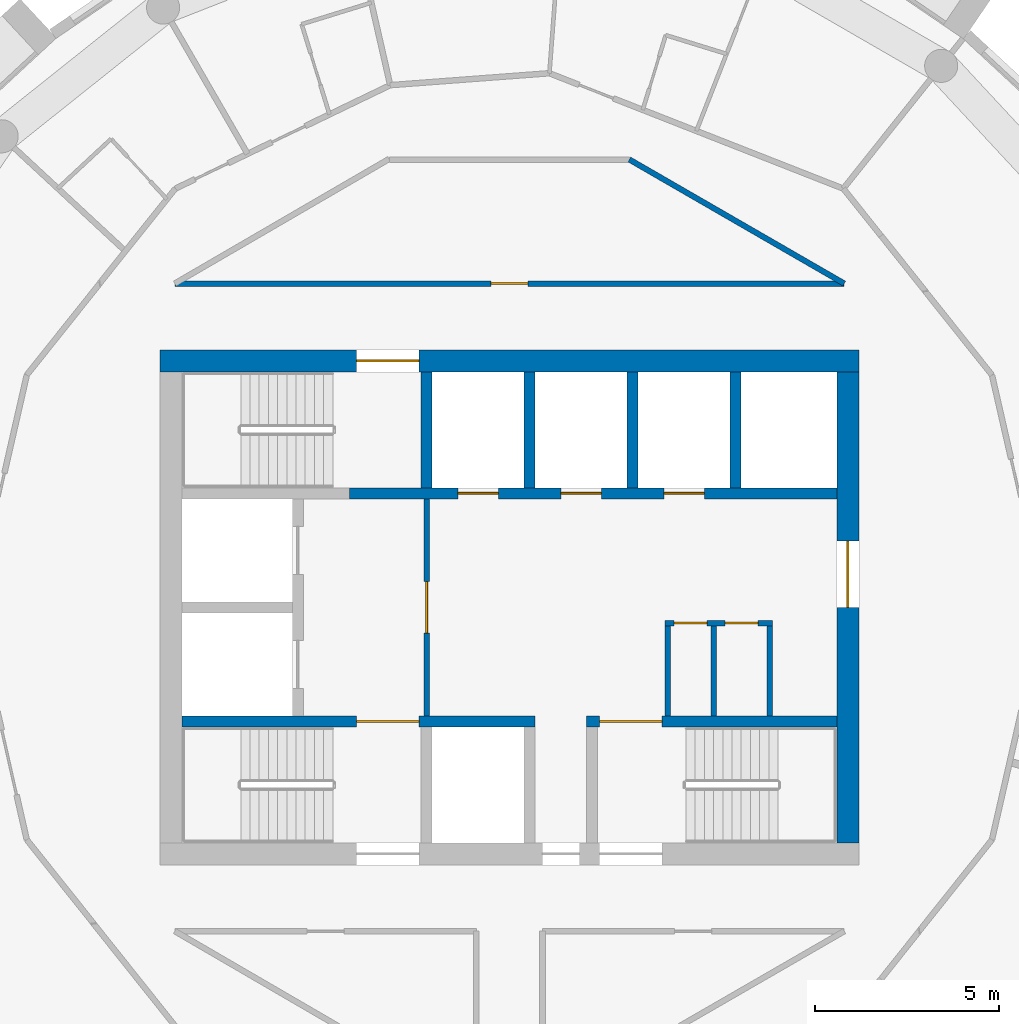
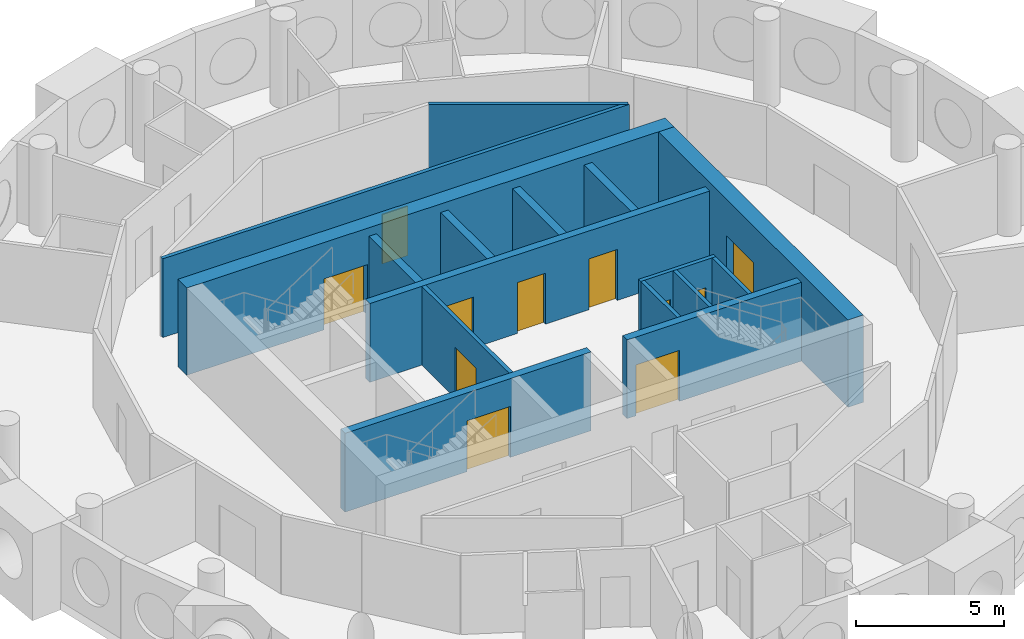
# One storey, part 8 of 13: 16 walls, 11 doors, 11 openings.
"""IFC4 building model written with IfcOpenShell, lengths in metres."""

import ifcopenshell
import ifcopenshell.guid

model = None  # the IFC model being written
_history = None  # IfcOwnerHistory: only IFC2X3 demands one
_inside = {}  # id of a spatial element -> (the spatial element, [elements in it])
_under = {}  # id of a project, library or spatial element -> (it, [spatial elements below it])
_declared = {}  # id of a project -> (the project, [libraries it declares])
_typed = {}  # id of a type object -> (the type object, [elements of that type])
_made_of = {}  # id of a material, layer set ... -> (it, [elements and type objects made of it])


def new_model(schema):
    """Start an empty IFC model of exactly this schema.

    Asked for "IFC4X3", IfcOpenShell would pick the latest addendum, in which some entities
    have other attributes; the version numbers below select the first issue.
    IFC2X3 requires an IfcOwnerHistory on every rooted entity: one is made here for all.
    """
    global model, _history
    if schema == "IFC4X3":
        model = ifcopenshell.file(schema_version=(4, 3, 0, 0))
    else:
        model = ifcopenshell.file(schema=schema)
    _inside.clear()
    _under.clear()
    _declared.clear()
    _typed.clear()
    _made_of.clear()
    _history = None
    if model.schema == "IFC2X3":
        org = make("IfcOrganization", Name="unknown")
        user = make(
            "IfcPersonAndOrganization",
            ThePerson=make("IfcPerson", FamilyName="unknown"),
            TheOrganization=org,
        )
        app = make(
            "IfcApplication",
            ApplicationDeveloper=org,
            Version="unknown",
            ApplicationFullName="unknown",
            ApplicationIdentifier="unknown",
        )
        _history = make(
            "IfcOwnerHistory",
            OwningUser=user,
            OwningApplication=app,
            ChangeAction="ADDED",
            CreationDate=0,
        )
    return model


def make(cls, **values):
    """One entity of the class cls with the attributes given. An attribute that is None is left unset."""
    return model.create_entity(
        cls, **{name: value for name, value in values.items() if value is not None}
    )


def rooted(cls, **values):
    """An entity with a GlobalId (a new one), such as an element, a storey or a relation."""
    return make(cls, GlobalId=ifcopenshell.guid.new(), OwnerHistory=_history, **values)


def si_unit(unit_type, name, prefix=None):
    """IfcSIUnit, for example si_unit("LENGTHUNIT", "METRE", prefix="MILLI")."""
    return make("IfcSIUnit", UnitType=unit_type, Prefix=prefix, Name=name)


def assignment(units):
    """IfcUnitAssignment: the units of a project."""
    return None if units is None else make("IfcUnitAssignment", Units=units)


def point(xyz):
    """IfcCartesianPoint."""
    return None if xyz is None else make("IfcCartesianPoint", Coordinates=xyz)


def direction(xyz):
    """IfcDirection."""
    return None if xyz is None else make("IfcDirection", DirectionRatios=xyz)


def frame(location, z_axis=None, x_axis=None):
    """IfcAxis2Placement3D, a coordinate frame: its origin and axes. An axis left out is left unset."""
    return make(
        "IfcAxis2Placement3D",
        Location=point(location),
        Axis=direction(z_axis),
        RefDirection=direction(x_axis),
    )


def frame_2d(location, x_axis=None):
    """IfcAxis2Placement2D, a coordinate frame in the plane: its origin and x axis."""
    return make(
        "IfcAxis2Placement2D", Location=point(location), RefDirection=direction(x_axis)
    )


def origin():
    """The frame at (0, 0, 0) with its axes left unset."""
    return frame((0.0, 0.0, 0.0))


def place(relative_to, where):
    """IfcLocalPlacement: puts the frame where relative to a parent placement (None: the world)."""
    return make(
        "IfcLocalPlacement", PlacementRelTo=relative_to, RelativePlacement=where
    )


def context(
    kind, dimensions, precision=None, world=None, true_north=None, identifier=None
):
    """IfcGeometricRepresentationContext, for example the 3D "Model" context."""
    return make(
        "IfcGeometricRepresentationContext",
        ContextIdentifier=identifier,
        ContextType=kind,
        CoordinateSpaceDimension=dimensions,
        Precision=precision,
        WorldCoordinateSystem=world,
        TrueNorth=true_north,
    )


def subcontext(parent, identifier, kind, view, scale=None):
    """IfcGeometricRepresentationSubContext, for example "Body" below "Model"."""
    return make(
        "IfcGeometricRepresentationSubContext",
        ContextIdentifier=identifier,
        ContextType=kind,
        ParentContext=parent,
        TargetScale=scale,
        TargetView=view,
    )


def project(units=None, contexts=None):
    """IfcProject with its units and contexts."""
    return rooted(
        "IfcProject",
        Name="project",
        RepresentationContexts=contexts,
        UnitsInContext=assignment(units),
    )


def spatial(cls, under=None, at=None, **own):
    """A site, building, storey or space (cls), placed at a placement, below another one or the project."""
    s = rooted(cls, ObjectPlacement=at, **own)
    if under is not None:
        _under.setdefault(under.id(), (under, []))[1].append(s)
    return s


def profile(cls, at=None, kind="AREA", **sizes):
    """A parametric profile (cls). Its sizes go by their IFC names, for example OverallWidth=200.0."""
    return make(cls, ProfileType=kind, Position=at, **sizes)


def rectangle(**sizes):
    """IfcRectangleProfileDef."""
    return profile("IfcRectangleProfileDef", **sizes)


def extrude(swept, where, along, depth):
    """IfcExtrudedAreaSolid: the profile swept, set in the frame where, extruded along a direction by depth."""
    return make(
        "IfcExtrudedAreaSolid",
        SweptArea=swept,
        Position=where,
        ExtrudedDirection=direction(along),
        Depth=depth,
    )


def shape(context_of_items, identifier, shape_type, items):
    """IfcShapeRepresentation: the items that make up one representation, for example the "Body"."""
    return make(
        "IfcShapeRepresentation",
        ContextOfItems=context_of_items,
        RepresentationIdentifier=identifier,
        RepresentationType=shape_type,
        Items=items,
    )


def material(Name=None, Category=None):
    """IfcMaterial."""
    return make("IfcMaterial", Name=Name, Category=Category)


def layer(
    of_material, thickness, ventilated=None, Name=None, Category=None, Priority=None
):
    """IfcMaterialLayer: one layer of a wall or slab, of a material (None: an air gap)."""
    return make(
        "IfcMaterialLayer",
        Material=of_material,
        LayerThickness=thickness,
        IsVentilated=ventilated,
        Name=Name,
        Category=Category,
        Priority=Priority,
    )


def layer_set(layers, Name=None):
    """IfcMaterialLayerSet."""
    return make("IfcMaterialLayerSet", MaterialLayers=layers, LayerSetName=Name)


def made_of(thing, what):
    """Note that an element or type object is made of a material, layer set ...; save() writes the relation."""
    if what is not None:
        _made_of.setdefault(what.id(), (what, []))[1].append(thing)
    return thing


def type_object(cls, material=None, **own):
    """A type object (cls), such as IfcWallType, which elements share."""
    return made_of(rooted(cls, **own), material)


def element(
    cls,
    number,
    at=None,
    inside=None,
    cuts=None,
    type_object=None,
    material=None,
    context=None,
    identifier="Body",
    shape_type=None,
    held_by="IfcProductDefinitionShape",
    body=None,
    shapes=None,
    **own,
):
    """One element of the class cls, such as IfcWall. Its Tag is "e" and its number.

    at: its placement. inside: the storey or other place that contains it. cuts: it is an
    opening in that element (IfcRelVoidsElement). A single representation is given by context,
    identifier, shape_type and body (its items); several are given by shapes. held_by: the class
    of the entity that holds the representations. save() writes the other relations.
    """
    e = rooted(cls, Tag="e%d" % number, ObjectPlacement=at, **own)
    if body is not None:
        shapes = [shape(context, identifier, shape_type, body)]
    if shapes is not None:
        e.Representation = make(held_by, Representations=shapes)
    if inside is not None:
        _inside.setdefault(inside.id(), (inside, []))[1].append(e)
    if cuts is not None:
        rooted(
            "IfcRelVoidsElement", RelatingBuildingElement=cuts, RelatedOpeningElement=e
        )
    if type_object is not None:
        _typed.setdefault(type_object.id(), (type_object, []))[1].append(e)
    return made_of(e, material)


def fill(opening, filler):
    """IfcRelFillsElement: the door or window that sits in an opening."""
    return rooted(
        "IfcRelFillsElement",
        RelatingOpeningElement=opening,
        RelatedBuildingElement=filler,
    )


def aggregate(whole, parts):
    """IfcRelAggregates: a whole, such as a stair, and the parts it consists of."""
    return rooted("IfcRelAggregates", RelatingObject=whole, RelatedObjects=parts)


def save(model, path):
    """Write the relations noted so far, then the file.

    IfcRelAggregates (storeys below a building ...), IfcRelContainedInSpatialStructure (elements
    in a storey), IfcRelDefinesByType, IfcRelAssociatesMaterial and IfcRelDeclares: one each for
    every whole, place, type object, material and project.
    """
    for whole, parts in _under.values():
        aggregate(whole, parts)
    for where, things in _inside.values():
        rooted(
            "IfcRelContainedInSpatialStructure",
            RelatedElements=things,
            RelatingStructure=where,
        )
    for kind, things in _typed.values():
        rooted("IfcRelDefinesByType", RelatedObjects=things, RelatingType=kind)
    for what, things in _made_of.values():
        rooted("IfcRelAssociatesMaterial", RelatedObjects=things, RelatingMaterial=what)
    for by, libraries in _declared.values():
        rooted("IfcRelDeclares", RelatingContext=by, RelatedDefinitions=libraries)
    model.write(path)


model = new_model("IFC4")

# Units and contexts
model_context = context("Model", 3, precision=1e-05, world=origin(), true_north=direction((0.0, 1.0)))
body_context = subcontext(model_context, "Body", "Model", "MODEL_VIEW")
ifc_project = project(units=[si_unit("LENGTHUNIT", "METRE"), si_unit("AREAUNIT", "SQUARE_METRE"), si_unit("VOLUMEUNIT", "CUBIC_METRE"), si_unit("PLANEANGLEUNIT", "RADIAN"), si_unit("MASSUNIT", "GRAM", prefix="KILO")], contexts=[model_context])

# Site, building, storey
site_placement = place(None, origin())
site = spatial("IfcSite", under=ifc_project, at=site_placement, CompositionType="ELEMENT")
building_placement = place(site_placement, origin())
building = spatial("IfcBuilding", under=site, at=building_placement, Name="Tracery Tower", CompositionType="ELEMENT")
storey_placement = place(building_placement, frame((0.0, 0.0, 316.199951171875)))
storey = spatial("IfcBuildingStorey", under=building, at=storey_placement, Name="L82", CompositionType="ELEMENT", Elevation=316.199951171875)

# Wall, opening, door
ifc_material_1 = material(Name="Plasterboard on steel studs", Category="steel")
ifc_layer_1 = layer(ifc_material_1, 0.14990234375)
ifc_layer_set_1 = layer_set([ifc_layer_1], Name="Core lobby partition 150")
wall_type_1 = type_object("IfcWallType", Name="Core lobby partition 150", PredefinedType="SOLIDWALL", material=ifc_layer_set_1)
wall_1_placement = place(storey_placement, frame((-2.25, -2.949951171875, 0.0), z_axis=(0.0, 0.0, 1.0), x_axis=(0.0, 1.0, 0.0)))
wall_1 = element("IfcWall", 1, at=wall_1_placement, inside=storey, type_object=wall_type_1, Name="L82 FF lobby E", PredefinedType="SOLIDWALL", context=body_context, shape_type="SweptSolid", body=[
    extrude(rectangle(XDim=5.89990234375, YDim=0.14990234375, at=frame_2d((2.949951171875, 0.0))), origin(), (0.0, 0.0, 1.0), 3.25),
])
opening_1_placement = place(wall_1_placement, frame((2.25, 0.0, 0.0)))
opening_1 = element("IfcOpeningElement", 2, at=opening_1_placement, cuts=wall_1, Name="Opening KD8", PredefinedType="OPENING", context=body_context, shape_type="SweptSolid", body=[
    extrude(rectangle(XDim=1.39990234375, YDim=2.10009765625, at=frame_2d((0.699951171875, 1.050048828125))), frame((0.0, 0.074951171875, 0.0), z_axis=(0.0, -1.0, 0.0), x_axis=(1.0, 0.0, 0.0)), (0.0, 0.0, 1.0), 0.14990234375),
])
ifc_material_2 = material(Name="Steel fire door", Category="steel")
door_type_1 = type_object("IfcDoorType", Name="Core lobby door 1400 double", OperationType="NOTDEFINED", PredefinedType="DOOR", material=ifc_material_2)
door_1_placement = place(opening_1_placement, origin())
door_1 = element("IfcDoor", 3, at=door_1_placement, inside=storey, type_object=door_type_1, Name="Fire-fighting lobby door", OperationType="DOUBLE_DOOR_SINGLE_SWING", OverallHeight=2.10009765625, OverallWidth=1.39990234375, PredefinedType="DOOR", context=body_context, shape_type="SweptSolid", body=[
    extrude(rectangle(XDim=1.39990234375, YDim=2.10009765625, at=frame_2d((0.699951171875, 1.050048828125))), frame((0.0, 0.02490234375, 0.0), z_axis=(0.0, -1.0, 0.0), x_axis=(1.0, 0.0, 0.0)), (0.0, 0.0, 1.0), 0.050048828125),
])
fill(opening_1, door_1)

# Wall
ifc_material_3 = material(Name="Plasterboard on steel studs", Category="steel")
ifc_layer_2 = layer(ifc_material_3, 0.14990234375)
ifc_layer_set_2 = layer_set([ifc_layer_2], Name="Core room partition 150")
wall_type_2 = type_object("IfcWallType", Name="Core room partition 150", PredefinedType="SOLIDWALL", material=ifc_layer_set_2)
wall_2_placement = place(storey_placement, frame((4.300048828125, -2.949951171875, 0.0), z_axis=(0.0, 0.0, 1.0), x_axis=(0.0, 1.0, 0.0)))
element("IfcWall", 4, at=wall_2_placement, inside=storey, type_object=wall_type_2, Name="L82 slot W", PredefinedType="SOLIDWALL", context=body_context, shape_type="SweptSolid", body=[
    extrude(rectangle(XDim=2.449951171875, YDim=0.14990234375, at=frame_2d((1.22509765625, 0.0))), origin(), (0.0, 0.0, 1.0), 3.25),
])

# Wall, openings, doors
wall_3_placement = place(storey_placement, frame((4.22509765625, -0.425048828125, 0.0), z_axis=(0.0, 0.0, 1.0), x_axis=(1.0, 0.0, 0.0)))
wall_3 = element("IfcWall", 5, at=wall_3_placement, inside=storey, type_object=wall_type_2, Name="L82 slot N", PredefinedType="SOLIDWALL", context=body_context, shape_type="SweptSolid", body=[
    extrude(rectangle(XDim=2.9248046875, YDim=0.14990234375, at=frame_2d((1.46240234375, 0.0))), origin(), (0.0, 0.0, 1.0), 3.25),
])
opening_2_placement = place(wall_3_placement, frame((0.25, 0.0, 0.0)))
opening_2 = element("IfcOpeningElement", 6, at=opening_2_placement, cuts=wall_3, Name="Opening KD27", PredefinedType="OPENING", context=body_context, shape_type="SweptSolid", body=[
    extrude(rectangle(XDim=0.89990234375, YDim=2.10009765625, at=frame_2d((0.449951171875, 1.050048828125))), frame((0.0, 0.074951171875, 0.0), z_axis=(0.0, -1.0, 0.0), x_axis=(1.0, 0.0, 0.0)), (0.0, 0.0, 1.0), 0.14990234375),
])
opening_3_placement = place(wall_3_placement, frame((1.637451171875, 0.0, 0.0)))
opening_3 = element("IfcOpeningElement", 7, at=opening_3_placement, cuts=wall_3, Name="Opening KD21", PredefinedType="OPENING", context=body_context, shape_type="SweptSolid", body=[
    extrude(rectangle(XDim=0.89990234375, YDim=2.10009765625, at=frame_2d((0.449951171875, 1.050048828125))), frame((0.0, 0.074951171875, 0.0), z_axis=(0.0, -1.0, 0.0), x_axis=(1.0, 0.0, 0.0)), (0.0, 0.0, 1.0), 0.14990234375),
])
ifc_material_4 = material(Name="Timber door leaf", Category="wood")
door_type_2 = type_object("IfcDoorType", Name="Core WC door 900", OperationType="NOTDEFINED", PredefinedType="DOOR", material=ifc_material_4)
door_2_placement = place(opening_3_placement, origin())
door_2 = element("IfcDoor", 8, at=door_2_placement, inside=storey, type_object=door_type_2, Name="Core door", OperationType="SINGLE_SWING_LEFT", OverallHeight=2.10009765625, OverallWidth=0.89990234375, PredefinedType="DOOR", context=body_context, shape_type="SweptSolid", body=[
    extrude(rectangle(XDim=0.89990234375, YDim=2.10009765625, at=frame_2d((0.449951171875, 1.050048828125))), frame((0.0, 0.02490234375, 0.0), z_axis=(0.0, -1.0, 0.0), x_axis=(1.0, 0.0, 0.0)), (0.0, 0.0, 1.0), 0.050048828125),
])
fill(opening_3, door_2)
ifc_material_5 = material(Name="Timber door leaf", Category="wood")
door_type_3 = type_object("IfcDoorType", Name="Core store door 900", OperationType="NOTDEFINED", PredefinedType="DOOR", material=ifc_material_5)
door_3_placement = place(opening_2_placement, origin())
door_3 = element("IfcDoor", 9, at=door_3_placement, inside=storey, type_object=door_type_3, Name="Core door", OperationType="SINGLE_SWING_RIGHT", OverallHeight=2.10009765625, OverallWidth=0.89990234375, PredefinedType="DOOR", context=body_context, shape_type="SweptSolid", body=[
    extrude(rectangle(XDim=0.89990234375, YDim=2.10009765625, at=frame_2d((0.449951171875, 1.050048828125))), frame((0.0, 0.02490234375, 0.0), z_axis=(0.0, -1.0, 0.0), x_axis=(1.0, 0.0, 0.0)), (0.0, 0.0, 1.0), 0.050048828125),
])
fill(opening_2, door_3)

# Walls
for number, where, z_axis, x_axis, name in (
    (10, (7.074951171875, -2.949951171875, 0.0), (0.0, 0.0, 1.0), (0.0, 1.0, 0.0), "L82 slot E"),
    (11, (5.550048828125, -2.949951171875, 0.0), (0.0, 0.0, 1.0), (0.0, 1.0, 0.0), "L82 slot sep 1"),
):
    element("IfcWall", number, at=place(storey_placement, frame(where, z_axis=z_axis, x_axis=x_axis)), inside=storey, type_object=wall_type_2, Name=name, PredefinedType="SOLIDWALL", context=body_context, shape_type="SweptSolid", body=[
        extrude(rectangle(XDim=2.449951171875, YDim=0.14990234375, at=frame_2d((1.22509765625, 0.0))), origin(), (0.0, 0.0, 1.0), 3.25),
    ])

# Wall, opening, door
ifc_material_6 = material(Name="Concrete C40/50", Category="concrete")
ifc_layer_3 = layer(ifc_material_6, 0.60009765625)
ifc_layer_set_3 = layer_set([ifc_layer_3], Name="Core wall 600 C40")
wall_type_3 = type_object("IfcWallType", Name="Core wall 600 C40", PredefinedType="SOLIDWALL", material=ifc_layer_set_3)
wall_4_placement = place(storey_placement, frame((-9.5, 6.699951171875, 0.0), z_axis=(0.0, 0.0, 1.0), x_axis=(1.0, 0.0, 0.0)))
wall_4 = element("IfcWall", 12, at=wall_4_placement, inside=storey, type_object=wall_type_3, Name="L82 outer N", PredefinedType="SOLIDWALL", context=body_context, shape_type="SweptSolid", body=[
    extrude(rectangle(XDim=19.0, YDim=0.60009765625, at=frame_2d((9.5, 0.0))), origin(), (0.0, 0.0, 1.0), 3.60009765625),
])
opening_4_placement = place(wall_4_placement, frame((5.35009765625, 0.0, 0.0)))
opening_4 = element("IfcOpeningElement", 13, at=opening_4_placement, cuts=wall_4, Name="Opening KD3", PredefinedType="OPENING", context=body_context, shape_type="SweptSolid", body=[
    extrude(rectangle(XDim=1.699951171875, YDim=2.10009765625, at=frame_2d((0.85009765625, 1.050048828125))), frame((0.0, 0.300048828125, 0.0), z_axis=(0.0, -1.0, 0.0), x_axis=(1.0, 0.0, 0.0)), (0.0, 0.0, 1.0), 0.60009765625),
])
ifc_material_7 = material(Name="Steel fire door", Category="steel")
door_type_4 = type_object("IfcDoorType", Name="Core stair door 1700 double", OperationType="NOTDEFINED", PredefinedType="DOOR", material=ifc_material_7)
door_4_placement = place(opening_4_placement, origin())
door_4 = element("IfcDoor", 14, at=door_4_placement, inside=storey, type_object=door_type_4, Name="Stair door ST3 exit", OperationType="DOUBLE_DOOR_SINGLE_SWING", OverallHeight=2.10009765625, OverallWidth=1.699951171875, PredefinedType="DOOR", context=body_context, shape_type="SweptSolid", body=[
    extrude(rectangle(XDim=1.699951171875, YDim=2.10009765625, at=frame_2d((0.85009765625, 1.050048828125))), frame((0.0, 0.02490234375, 0.0), z_axis=(0.0, -1.0, 0.0), x_axis=(1.0, 0.0, 0.0)), (0.0, 0.0, 1.0), 0.050048828125),
])
fill(opening_4, door_4)

wall_5_placement = place(storey_placement, frame((9.199951171875, -6.39990234375, 0.0), z_axis=(0.0, 0.0, 1.0), x_axis=(0.0, 1.0, 0.0)))
wall_5 = element("IfcWall", 15, at=wall_5_placement, inside=storey, type_object=wall_type_3, Name="L82 outer E", PredefinedType="SOLIDWALL", context=body_context, shape_type="SweptSolid", body=[
    extrude(rectangle(XDim=12.7998046875, YDim=0.60009765625, at=frame_2d((6.39990234375, 0.0))), origin(), (0.0, 0.0, 1.0), 3.60009765625),
])
opening_5_placement = place(wall_5_placement, frame((6.39990234375, 0.0, 0.0)))
opening_5 = element("IfcOpeningElement", 16, at=opening_5_placement, cuts=wall_5, Name="Opening KD13", PredefinedType="OPENING", context=body_context, shape_type="SweptSolid", body=[
    extrude(rectangle(XDim=1.800048828125, YDim=2.10009765625, at=frame_2d((0.89990234375, 1.050048828125))), frame((0.0, 0.300048828125, 0.0), z_axis=(0.0, -1.0, 0.0), x_axis=(1.0, 0.0, 0.0)), (0.0, 0.0, 1.0), 0.60009765625),
])
ifc_material_8 = material(Name="Steel fire door", Category="steel")
door_type_5 = type_object("IfcDoorType", Name="Core exit door 1800 double", OperationType="NOTDEFINED", PredefinedType="DOOR", material=ifc_material_8)
door_5_placement = place(opening_5_placement, origin())
door_5 = element("IfcDoor", 17, at=door_5_placement, inside=storey, type_object=door_type_5, Name="Core exit door", OperationType="DOUBLE_DOOR_SINGLE_SWING", OverallHeight=2.10009765625, OverallWidth=1.800048828125, PredefinedType="DOOR", context=body_context, shape_type="SweptSolid", body=[
    extrude(rectangle(XDim=1.800048828125, YDim=2.10009765625, at=frame_2d((0.89990234375, 1.050048828125))), frame((0.0, 0.02490234375, 0.0), z_axis=(0.0, -1.0, 0.0), x_axis=(1.0, 0.0, 0.0)), (0.0, 0.0, 1.0), 0.050048828125),
])
fill(opening_5, door_5)

ifc_material_9 = material(Name="Plasterboard on steel studs", Category="steel")
ifc_layer_4 = layer(ifc_material_9, 0.14990234375)
ifc_layer_set_4 = layer_set([ifc_layer_4], Name="Partition 150 corridor wall")
wall_type_4 = type_object("IfcWallType", Name="Partition 150 corridor wall", PredefinedType="PARTITIONING", material=ifc_layer_set_4)
wall_6_placement = place(storey_placement, frame((-9.092041015625, 8.800048828125, 0.0), z_axis=(0.0, 0.0, 1.0), x_axis=(1.0, 0.0, 0.0)))
wall_6 = element("IfcWall", 18, at=wall_6_placement, inside=storey, type_object=wall_type_4, Name="Corridor wall RC9-002", PredefinedType="PARTITIONING", context=body_context, shape_type="SweptSolid", body=[
    extrude(rectangle(XDim=18.192626953125, YDim=0.14990234375, at=frame_2d((9.09619140625, 0.0))), origin(), (0.0, 0.0, 1.0), 3.25),
])
opening_6_placement = place(wall_6_placement, frame((8.592041015625, 0.0, 0.0)))
opening_6 = element("IfcOpeningElement", 19, at=opening_6_placement, cuts=wall_6, Name="Opening RC9-01", PredefinedType="OPENING", context=body_context, shape_type="SweptSolid", body=[
    extrude(rectangle(XDim=1.0, YDim=2.0400390625, at=frame_2d((0.5, 1.02001953125))), frame((0.0, 0.074951171875, 0.0), z_axis=(0.0, -1.0, 0.0), x_axis=(1.0, 0.0, 0.0)), (0.0, 0.0, 1.0), 0.14990234375),
])
ifc_material_10 = material(Name="Timber door leaf", Category="wood")
door_type_6 = type_object("IfcDoorType", Name="Door communal room 1000", OperationType="NOTDEFINED", PredefinedType="DOOR", material=ifc_material_10)
door_6_placement = place(opening_6_placement, origin())
door_6 = element("IfcDoor", 20, at=door_6_placement, inside=storey, type_object=door_type_6, Name="Communal room door RC9-01", OperationType="SINGLE_SWING_RIGHT", OverallHeight=2.0400390625, OverallWidth=1.0, PredefinedType="DOOR", context=body_context, shape_type="SweptSolid", body=[
    extrude(rectangle(XDim=1.0, YDim=2.0400390625, at=frame_2d((0.5, 1.02001953125))), frame((0.0, 0.02490234375, 0.0), z_axis=(0.0, -1.0, 0.0), x_axis=(1.0, 0.0, 0.0)), (0.0, 0.0, 1.0), 0.050048828125),
])
fill(opening_6, door_6)

# Walls
wall_7_placement = place(storey_placement, frame((3.260986328125, 12.1708984375, 0.0), z_axis=(0.0, 0.0, 1.0), x_axis=(0.866066809554, -0.499928276245, 0.0)))
element("IfcWall", 21, at=wall_7_placement, inside=storey, type_object=wall_type_4, Name="Corridor wall RC9-024", PredefinedType="PARTITIONING", context=body_context, shape_type="SweptSolid", body=[
    extrude(rectangle(XDim=6.74267578125, YDim=0.14990234375, at=frame_2d((3.371337890625, 0.0))), origin(), (0.0, 0.0, 1.0), 3.25),
])
ifc_material_11 = material(Name="Concrete C40/50", Category="concrete")
ifc_layer_5 = layer(ifc_material_11, 0.300048828125)
ifc_layer_set_5 = layer_set([ifc_layer_5], Name="Shaft wall 300 C40")
wall_type_5 = type_object("IfcWallType", Name="Shaft wall 300 C40", PredefinedType="SOLIDWALL", material=ifc_layer_set_5)
for number, where, z_axis, x_axis, name in (
    (22, (0.550048828125, 3.25, 0.0), (0.0, 0.0, 1.0), (0.0, 1.0, 0.0), "L82 HR sep 1"),
    (23, (3.35009765625, 3.25, 0.0), (0.0, 0.0, 1.0), (0.0, 1.0, 0.0), "L82 HR sep 2"),
    (24, (6.14990234375, 3.25, 0.0), (0.0, 0.0, 1.0), (0.0, 1.0, 0.0), "L82 HR sep 3"),
):
    element("IfcWall", number, at=place(storey_placement, frame(where, z_axis=z_axis, x_axis=x_axis)), inside=storey, type_object=wall_type_5, Name=name, PredefinedType="SOLIDWALL", context=body_context, shape_type="SweptSolid", body=[
        extrude(rectangle(XDim=3.14990234375, YDim=0.300048828125, at=frame_2d((1.574951171875, 0.0))), origin(), (0.0, 0.0, 1.0), 3.25),
    ])

# Wall, opening, door
ifc_material_12 = material(Name="Concrete C40/50", Category="concrete")
ifc_layer_6 = layer(ifc_material_12, 0.300048828125)
ifc_layer_set_6 = layer_set([ifc_layer_6], Name="Stair wall 300 C40")
wall_type_6 = type_object("IfcWallType", Name="Stair wall 300 C40", PredefinedType="SOLIDWALL", material=ifc_layer_set_6)
wall_8_placement = place(storey_placement, frame((-8.89990234375, -3.10009765625, 0.0), z_axis=(0.0, 0.0, 1.0), x_axis=(1.0, 0.0, 0.0)))
wall_8 = element("IfcWall", 25, at=wall_8_placement, inside=storey, type_object=wall_type_6, Name="L82 row S", PredefinedType="SOLIDWALL", context=body_context, shape_type="SweptSolid", body=[
    extrude(rectangle(XDim=9.599853515625, YDim=0.300048828125, at=frame_2d((4.7998046875, 0.0))), origin(), (0.0, 0.0, 1.0), 3.25),
])
opening_7_placement = place(wall_8_placement, frame((4.75, 0.0, 0.0)))
opening_7 = element("IfcOpeningElement", 26, at=opening_7_placement, cuts=wall_8, Name="Opening KD3", PredefinedType="OPENING", context=body_context, shape_type="SweptSolid", body=[
    extrude(rectangle(XDim=1.699951171875, YDim=2.10009765625, at=frame_2d((0.85009765625, 1.050048828125))), frame((0.0, 0.14990234375, 0.0), z_axis=(0.0, -1.0, 0.0), x_axis=(1.0, 0.0, 0.0)), (0.0, 0.0, 1.0), 0.300048828125),
])
door_7_placement = place(opening_7_placement, origin())
door_7 = element("IfcDoor", 27, at=door_7_placement, inside=storey, type_object=door_type_4, Name="Stair door ST1", OperationType="DOUBLE_DOOR_SINGLE_SWING", OverallHeight=2.10009765625, OverallWidth=1.699951171875, PredefinedType="DOOR", context=body_context, shape_type="SweptSolid", body=[
    extrude(rectangle(XDim=1.699951171875, YDim=2.10009765625, at=frame_2d((0.85009765625, 1.050048828125))), frame((0.0, 0.02490234375, 0.0), z_axis=(0.0, -1.0, 0.0), x_axis=(1.0, 0.0, 0.0)), (0.0, 0.0, 1.0), 0.050048828125),
])
fill(opening_7, door_7)

wall_9_placement = place(storey_placement, frame((2.10009765625, -3.10009765625, 0.0), z_axis=(0.0, 0.0, 1.0), x_axis=(1.0, 0.0, 0.0)))
wall_9 = element("IfcWall", 28, at=wall_9_placement, inside=storey, type_object=wall_type_6, Name="L82 row S E", PredefinedType="SOLIDWALL", context=body_context, shape_type="SweptSolid", body=[
    extrude(rectangle(XDim=6.7998046875, YDim=0.300048828125, at=frame_2d((3.39990234375, 0.0))), origin(), (0.0, 0.0, 1.0), 3.25),
])
opening_8_placement = place(wall_9_placement, frame((0.35009765625, 0.0, 0.0)))
opening_8 = element("IfcOpeningElement", 29, at=opening_8_placement, cuts=wall_9, Name="Opening KD3", PredefinedType="OPENING", context=body_context, shape_type="SweptSolid", body=[
    extrude(rectangle(XDim=1.699951171875, YDim=2.10009765625, at=frame_2d((0.85009765625, 1.050048828125))), frame((0.0, 0.14990234375, 0.0), z_axis=(0.0, -1.0, 0.0), x_axis=(1.0, 0.0, 0.0)), (0.0, 0.0, 1.0), 0.300048828125),
])
door_8_placement = place(opening_8_placement, origin())
door_8 = element("IfcDoor", 30, at=door_8_placement, inside=storey, type_object=door_type_4, Name="Stair door ST2", OperationType="DOUBLE_DOOR_SINGLE_SWING", OverallHeight=2.10009765625, OverallWidth=1.699951171875, PredefinedType="DOOR", context=body_context, shape_type="SweptSolid", body=[
    extrude(rectangle(XDim=1.699951171875, YDim=2.10009765625, at=frame_2d((0.85009765625, 1.050048828125))), frame((0.0, 0.02490234375, 0.0), z_axis=(0.0, -1.0, 0.0), x_axis=(1.0, 0.0, 0.0)), (0.0, 0.0, 1.0), 0.050048828125),
])
fill(opening_8, door_8)

# Wall, openings, doors
wall_10_placement = place(storey_placement, frame((-4.35009765625, 3.10009765625, 0.0), z_axis=(0.0, 0.0, 1.0), x_axis=(1.0, 0.0, 0.0)))
wall_10 = element("IfcWall", 31, at=wall_10_placement, inside=storey, type_object=wall_type_6, Name="L82 row N", PredefinedType="SOLIDWALL", context=body_context, shape_type="SweptSolid", body=[
    extrude(rectangle(XDim=13.25, YDim=0.300048828125, at=frame_2d((6.625, 0.0))), origin(), (0.0, 0.0, 1.0), 3.25),
])
opening_9_placement = place(wall_10_placement, frame((2.949951171875, 0.0, 0.0)))
opening_9 = element("IfcOpeningElement", 32, at=opening_9_placement, cuts=wall_10, Name="Opening KD49", PredefinedType="OPENING", context=body_context, shape_type="SweptSolid", body=[
    extrude(rectangle(XDim=1.10009765625, YDim=2.10009765625, at=frame_2d((0.550048828125, 1.050048828125))), frame((0.0, 0.14990234375, 0.0), z_axis=(0.0, -1.0, 0.0), x_axis=(1.0, 0.0, 0.0)), (0.0, 0.0, 1.0), 0.300048828125),
])
opening_10_placement = place(wall_10_placement, frame((5.75, 0.0, 0.0)))
opening_10 = element("IfcOpeningElement", 33, at=opening_10_placement, cuts=wall_10, Name="Opening KD50", PredefinedType="OPENING", context=body_context, shape_type="SweptSolid", body=[
    extrude(rectangle(XDim=1.10009765625, YDim=2.10009765625, at=frame_2d((0.550048828125, 1.050048828125))), frame((0.0, 0.14990234375, 0.0), z_axis=(0.0, -1.0, 0.0), x_axis=(1.0, 0.0, 0.0)), (0.0, 0.0, 1.0), 0.300048828125),
])
opening_11_placement = place(wall_10_placement, frame((8.550048828125, 0.0, 0.0)))
opening_11 = element("IfcOpeningElement", 34, at=opening_11_placement, cuts=wall_10, Name="Opening KD49", PredefinedType="OPENING", context=body_context, shape_type="SweptSolid", body=[
    extrude(rectangle(XDim=1.10009765625, YDim=2.10009765625, at=frame_2d((0.550048828125, 1.050048828125))), frame((0.0, 0.14990234375, 0.0), z_axis=(0.0, -1.0, 0.0), x_axis=(1.0, 0.0, 0.0)), (0.0, 0.0, 1.0), 0.300048828125),
])
ifc_material_13 = material(Name="Steel fire door", Category="steel")
door_type_7 = type_object("IfcDoorType", Name="Landing door 1100", OperationType="NOTDEFINED", PredefinedType="DOOR", material=ifc_material_13)
door_9_placement = place(opening_9_placement, origin())
door_9 = element("IfcDoor", 35, at=door_9_placement, inside=storey, type_object=door_type_7, Name="Landing door HR1", OperationType="SLIDING_TO_LEFT", OverallHeight=2.10009765625, OverallWidth=1.10009765625, PredefinedType="DOOR", context=body_context, shape_type="SweptSolid", body=[
    extrude(rectangle(XDim=1.10009765625, YDim=2.10009765625, at=frame_2d((0.550048828125, 1.050048828125))), frame((0.0, 0.02490234375, 0.0), z_axis=(0.0, -1.0, 0.0), x_axis=(1.0, 0.0, 0.0)), (0.0, 0.0, 1.0), 0.050048828125),
])
fill(opening_9, door_9)
door_10_placement = place(opening_10_placement, origin())
door_10 = element("IfcDoor", 36, at=door_10_placement, inside=storey, type_object=door_type_7, Name="Landing door HR2", OperationType="SLIDING_TO_RIGHT", OverallHeight=2.10009765625, OverallWidth=1.10009765625, PredefinedType="DOOR", context=body_context, shape_type="SweptSolid", body=[
    extrude(rectangle(XDim=1.10009765625, YDim=2.10009765625, at=frame_2d((0.550048828125, 1.050048828125))), frame((0.0, 0.02490234375, 0.0), z_axis=(0.0, -1.0, 0.0), x_axis=(1.0, 0.0, 0.0)), (0.0, 0.0, 1.0), 0.050048828125),
])
fill(opening_10, door_10)
door_11_placement = place(opening_11_placement, origin())
door_11 = element("IfcDoor", 37, at=door_11_placement, inside=storey, type_object=door_type_7, Name="Landing door HR3", OperationType="SLIDING_TO_LEFT", OverallHeight=2.10009765625, OverallWidth=1.10009765625, PredefinedType="DOOR", context=body_context, shape_type="SweptSolid", body=[
    extrude(rectangle(XDim=1.10009765625, YDim=2.10009765625, at=frame_2d((0.550048828125, 1.050048828125))), frame((0.0, 0.02490234375, 0.0), z_axis=(0.0, -1.0, 0.0), x_axis=(1.0, 0.0, 0.0)), (0.0, 0.0, 1.0), 0.050048828125),
])
fill(opening_11, door_11)

# Wall
wall_11_placement = place(storey_placement, frame((-2.25, 3.25, 0.0), z_axis=(0.0, 0.0, 1.0), x_axis=(0.0, 1.0, 0.0)))
element("IfcWall", 38, at=wall_11_placement, inside=storey, type_object=wall_type_6, Name="L82 ST3 E", PredefinedType="SOLIDWALL", context=body_context, shape_type="SweptSolid", body=[
    extrude(rectangle(XDim=3.14990234375, YDim=0.300048828125, at=frame_2d((1.574951171875, 0.0))), origin(), (0.0, 0.0, 1.0), 3.25),
])

save(model, "model.ifc")
